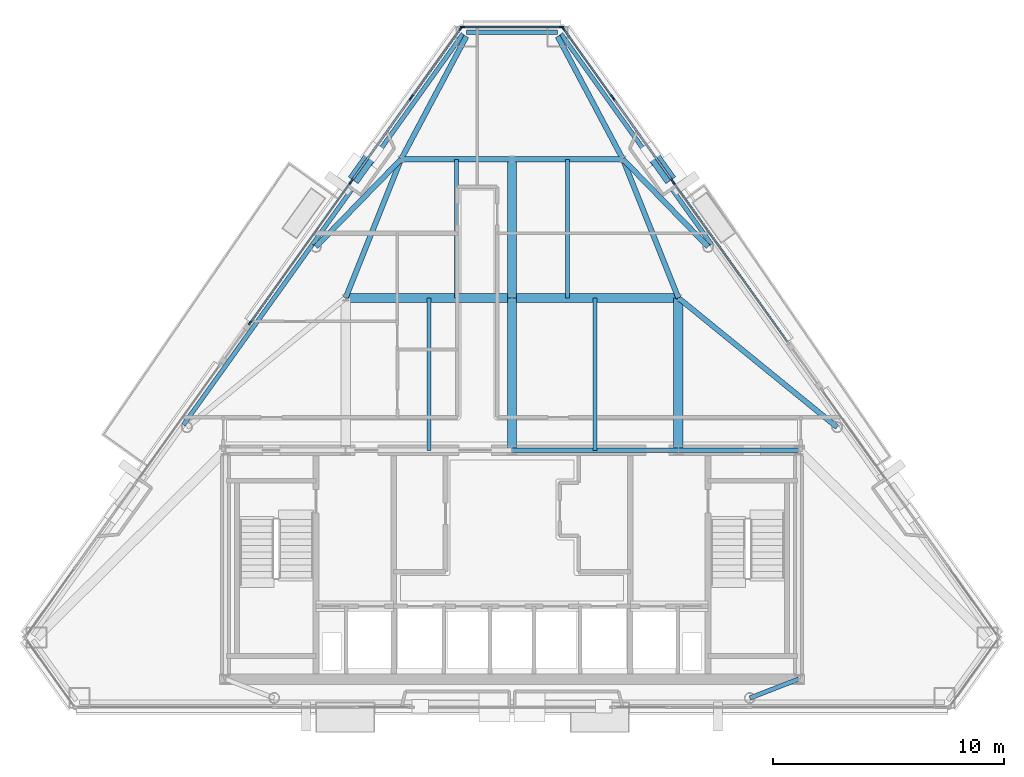
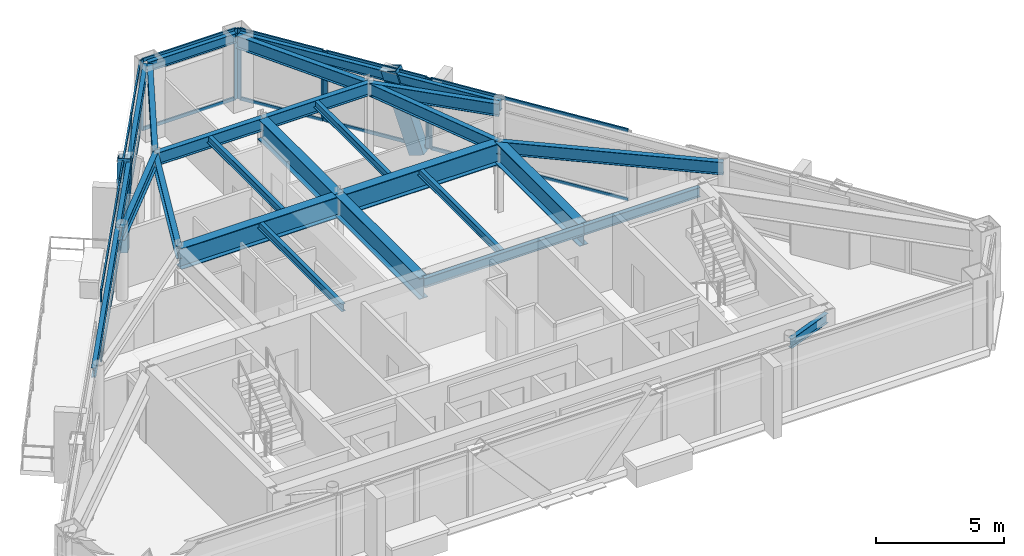
# One storey, part 5 of 12: 29 members, 25 beams, 7 elements without a shape of their own.
"""IFC4 building model written with IfcOpenShell, lengths in metres."""

from ifc_helpers import new_model, si_unit, direction, frame, origin, origin_2d, place, context, subcontext, project, spatial, rectangle, hollow_rectangle, i_section, extrude, material, layer, layer_set, material_profile, profile_set, type_object, element, aggregate, save


model = new_model("IFC4")

# Units and contexts
model_context = context("Model", 3, precision=1e-05, world=origin(), true_north=direction((0.0, 1.0)))
body_context = subcontext(model_context, "Body", "Model", "MODEL_VIEW")
ifc_project = project(units=[si_unit("LENGTHUNIT", "METRE"), si_unit("AREAUNIT", "SQUARE_METRE"), si_unit("VOLUMEUNIT", "CUBIC_METRE"), si_unit("PLANEANGLEUNIT", "RADIAN"), si_unit("MASSUNIT", "GRAM", prefix="KILO")], contexts=[model_context])

# Site, building, storey
site_placement = place(None, origin())
site = spatial("IfcSite", under=ifc_project, at=site_placement, CompositionType="ELEMENT")
building_placement = place(site_placement, origin())
building = spatial("IfcBuilding", under=site, at=building_placement, Name="Talgorran Terracotta Tower", CompositionType="ELEMENT")
storey_placement = place(building_placement, frame((0.0, 0.0, 263.39990234375)))
storey = spatial("IfcBuildingStorey", under=building, at=storey_placement, Name="L69", CompositionType="ELEMENT", Elevation=263.39990234375)

# Beams
ifc_material_1 = material(Name="Steel Grade 350 (350L0)", Category="steel")
ifc_material_profile_1 = material_profile(ifc_material_1, i_section(OverallWidth=0.39990234375, OverallDepth=1.0, WebThickness=0.01611328125, FlangeThickness=0.031005859375, at=origin_2d()), Name="1000WB296")
ifc_profile_set_1 = profile_set([ifc_material_profile_1], Name="Steel Grade 350 (350L0)")
beam_type_1 = type_object("IfcBeamType", Name="BM_1000WB296", PredefinedType="BEAM", material=ifc_profile_set_1)
for number, where, z_axis, x_axis, name in (
    (1, (0.0, -4.199951171875, 2.84521484375), (0.0, 1.0, 0.0), (-1.0, 0.0, 0.0), "L69 Floor Girder G02"),
    (2, (7.199951171875, -4.199951171875, 2.84521484375), (0.0, 1.0, 0.0), (-1.0, 0.0, 0.0), "L69 Floor Girder G03"),
):
    element("IfcBeam", number, at=place(storey_placement, frame(where, z_axis=z_axis, x_axis=x_axis)), inside=storey, type_object=beam_type_1, Name=name, PredefinedType="BEAM", context=body_context, shape_type="SweptSolid", body=[
        extrude(i_section(OverallWidth=0.39990234375, OverallDepth=1.0, WebThickness=0.01611328125, FlangeThickness=0.031005859375, at=origin_2d()), origin(), (0.0, 0.0, 1.0), 6.599853515625),
    ])
for number, where, z_axis, x_axis, name in (
    (3, (-7.199951171875, 2.39990234375, 2.84521484375), (1.0, 0.0, 0.0), (0.0, 1.0, 0.0), "L69 Floor Girder G04"),
    (4, (0.0, 2.39990234375, 2.84521484375), (1.0, 0.0, 0.0), (0.0, 1.0, 0.0), "L69 Floor Girder G05"),
):
    element("IfcBeam", number, at=place(storey_placement, frame(where, z_axis=z_axis, x_axis=x_axis)), inside=storey, type_object=beam_type_1, Name=name, PredefinedType="BEAM", context=body_context, shape_type="SweptSolid", body=[
        extrude(i_section(OverallWidth=0.39990234375, OverallDepth=1.0, WebThickness=0.01611328125, FlangeThickness=0.031005859375, at=origin_2d()), origin(), (0.0, 0.0, 1.0), 7.199951171875),
    ])
beam_1_placement = place(storey_placement, frame((0.0, 2.39990234375, 2.84521484375), z_axis=(0.0, 1.0, 0.0), x_axis=(-1.0, 0.0, 0.0)))
element("IfcBeam", 5, at=beam_1_placement, inside=storey, type_object=beam_type_1, Name="L69 Floor Girder G09", PredefinedType="BEAM", context=body_context, shape_type="SweptSolid", body=[
    extrude(i_section(OverallWidth=0.39990234375, OverallDepth=1.0, WebThickness=0.01611328125, FlangeThickness=0.031005859375, at=origin_2d()), origin(), (0.0, 0.0, 1.0), 6.0),
])
ifc_material_2 = material(Name="Steel S355 (300PLUS)", Category="steel")
ifc_material_profile_2 = material_profile(ifc_material_2, i_section(OverallWidth=0.22802734375, OverallDepth=0.60205078125, WebThickness=0.010498046875, FlangeThickness=0.014892578125, at=origin_2d()), Name="610UB101")
ifc_profile_set_2 = profile_set([ifc_material_profile_2], Name="Steel S355 (300PLUS)")
beam_type_2 = type_object("IfcBeamType", Name="BM_610UB101", PredefinedType="BEAM", material=ifc_profile_set_2)
beam_2_placement = place(storey_placement, frame((7.199951171875, 2.39990234375, 3.044189453125), z_axis=(0.775393850299, -0.631477930667, 0.0), x_axis=(0.631477930667, 0.775393850299, 0.0)))
element("IfcBeam", 6, at=beam_2_placement, inside=storey, type_object=beam_type_2, Name="L69 Floor Girder G07", PredefinedType="BEAM", context=body_context, shape_type="SweptSolid", body=[
    extrude(i_section(OverallWidth=0.22802734375, OverallDepth=0.60205078125, WebThickness=0.010498046875, FlangeThickness=0.014892578125, at=origin_2d()), origin(), (0.0, 0.0, 1.0), 8.862060546875),
])
for number, where, z_axis, x_axis, name in (
    (7, (-7.199951171875, 2.39990234375, 3.044189453125), (0.371377648723, 0.928481901832, 0.0), (-0.928481901832, 0.371377648723, 0.0), "L69 Floor Girder G08"),
    (8, (7.199951171875, 2.39990234375, 3.044189453125), (-0.371377648723, 0.928481901832, 0.0), (-0.928481901832, -0.371377648723, 0.0), "L69 Floor Girder G10"),
):
    element("IfcBeam", number, at=place(storey_placement, frame(where, z_axis=z_axis, x_axis=x_axis)), inside=storey, type_object=beam_type_2, Name=name, PredefinedType="BEAM", context=body_context, shape_type="SweptSolid", body=[
        extrude(i_section(OverallWidth=0.22802734375, OverallDepth=0.60205078125, WebThickness=0.010498046875, FlangeThickness=0.014892578125, at=origin_2d()), origin(), (0.0, 0.0, 1.0), 6.462158203125),
    ])
for number, where, z_axis, x_axis, name in (
    (9, (-4.800048828125, 8.39990234375, 3.044189453125), (1.0, 0.0, 0.0), (0.0, 1.0, 0.0), "L69 Floor Girder G11"),
    (10, (0.0, 8.39990234375, 3.044189453125), (1.0, 0.0, 0.0), (0.0, 1.0, 0.0), "L69 Floor Girder G12"),
):
    element("IfcBeam", number, at=place(storey_placement, frame(where, z_axis=z_axis, x_axis=x_axis)), inside=storey, type_object=beam_type_2, Name=name, PredefinedType="BEAM", context=body_context, shape_type="SweptSolid", body=[
        extrude(i_section(OverallWidth=0.22802734375, OverallDepth=0.60205078125, WebThickness=0.010498046875, FlangeThickness=0.014892578125, at=origin_2d()), origin(), (0.0, 0.0, 1.0), 4.800048828125),
    ])
for number, where, z_axis, x_axis, name in (
    (11, (-4.800048828125, 8.39990234375, 3.044189453125), (-0.697416483559, -0.716666064817, 0.0), (0.716666064817, -0.697416483559, 0.0), "L69 Floor Girder G13"),
    (12, (4.800048828125, 8.39990234375, 3.044189453125), (0.697416483559, -0.716666064817, 0.0), (0.716666064817, 0.697416483559, 0.0), "L69 Floor Girder G14"),
):
    element("IfcBeam", number, at=place(storey_placement, frame(where, z_axis=z_axis, x_axis=x_axis)), inside=storey, type_object=beam_type_2, Name=name, PredefinedType="BEAM", context=body_context, shape_type="SweptSolid", body=[
        extrude(i_section(OverallWidth=0.22802734375, OverallDepth=0.60205078125, WebThickness=0.010498046875, FlangeThickness=0.014892578125, at=origin_2d()), origin(), (0.0, 0.0, 1.0), 5.288818359375),
    ])
for number, where, z_axis, x_axis, name in (
    (13, (-4.800048828125, 8.39990234375, 3.044189453125), (0.469200685486, 0.883091567585, 0.0), (-0.883091567585, 0.469200685486, 0.0), "L69 Floor Girder G15"),
    (14, (4.800048828125, 8.39990234375, 3.044189453125), (-0.469200685486, 0.883091567585, 0.0), (-0.883091567585, -0.469200685486, 0.0), "L69 Floor Girder G16"),
):
    element("IfcBeam", number, at=place(storey_placement, frame(where, z_axis=z_axis, x_axis=x_axis)), inside=storey, type_object=beam_type_2, Name=name, PredefinedType="BEAM", context=body_context, shape_type="SweptSolid", body=[
        extrude(i_section(OverallWidth=0.22802734375, OverallDepth=0.60205078125, WebThickness=0.010498046875, FlangeThickness=0.014892578125, at=origin_2d()), origin(), (0.0, 0.0, 1.0), 6.020751953125),
    ])
ifc_material_profile_3 = material_profile(ifc_material_2, i_section(OverallWidth=0.17138671875, OverallDepth=0.355712890625, WebThickness=0.00732421875, FlangeThickness=0.011474609375, at=origin_2d()), Name="360UB50.7")
ifc_profile_set_3 = profile_set([ifc_material_profile_3], Name="Steel S355 (300PLUS)")
beam_type_3 = type_object("IfcBeamType", Name="BM_JS_360UB51", PredefinedType="JOIST", material=ifc_profile_set_3)
for number, where, z_axis, x_axis, name in (
    (15, (-3.60009765625, -4.199951171875, 3.167236328125), (0.0, 1.0, 0.0), (-1.0, 0.0, 0.0), "L69 Secondary Joist J01"),
    (16, (3.60009765625, -4.199951171875, 3.167236328125), (0.0, 1.0, 0.0), (-1.0, 0.0, 0.0), "L69 Secondary Joist J02"),
):
    element("IfcBeam", number, at=place(storey_placement, frame(where, z_axis=z_axis, x_axis=x_axis)), inside=storey, type_object=beam_type_3, Name=name, PredefinedType="JOIST", context=body_context, shape_type="SweptSolid", body=[
        extrude(i_section(OverallWidth=0.17138671875, OverallDepth=0.355712890625, WebThickness=0.00732421875, FlangeThickness=0.011474609375, at=origin_2d()), origin(), (0.0, 0.0, 1.0), 6.599853515625),
    ])
for number, where, z_axis, x_axis, name in (
    (17, (-2.39990234375, 2.39990234375, 3.167236328125), (0.0, 1.0, 0.0), (-1.0, 0.0, 0.0), "L69 Secondary Joist J03"),
    (18, (2.39990234375, 2.39990234375, 3.167236328125), (0.0, 1.0, 0.0), (-1.0, 0.0, 0.0), "L69 Secondary Joist J04"),
):
    element("IfcBeam", number, at=place(storey_placement, frame(where, z_axis=z_axis, x_axis=x_axis)), inside=storey, type_object=beam_type_3, Name=name, PredefinedType="JOIST", context=body_context, shape_type="SweptSolid", body=[
        extrude(i_section(OverallWidth=0.17138671875, OverallDepth=0.355712890625, WebThickness=0.00732421875, FlangeThickness=0.011474609375, at=origin_2d()), origin(), (0.0, 0.0, 1.0), 6.0),
    ])
ifc_material_profile_4 = material_profile(ifc_material_2, i_section(OverallWidth=0.18994140625, OverallDepth=0.45703125, WebThickness=0.009033203125, FlangeThickness=0.014404296875, at=origin_2d()), Name="460UB74.6")
ifc_profile_set_4 = profile_set([ifc_material_profile_4], Name="Steel S355 (300PLUS)")
beam_type_4 = type_object("IfcBeamType", Name="BM_SP_460UB74", PredefinedType="SPANDREL", material=ifc_profile_set_4)
beam_3_placement = place(storey_placement, frame((8.635009765625, 4.71435546875, 3.11669921875), z_axis=(-0.58172898954, 0.813382679142, 0.0), x_axis=(-0.813382679142, -0.58172898954, 0.0)))
element("IfcBeam", 19, at=beam_3_placement, inside=storey, type_object=beam_type_4, Name="L69 Perimeter Spandrel Beam FC4-MC5", PredefinedType="SPANDREL", context=body_context, shape_type="SweptSolid", body=[
    extrude(i_section(OverallWidth=0.18994140625, OverallDepth=0.45703125, WebThickness=0.009033203125, FlangeThickness=0.014404296875, at=origin_2d()), origin(), (0.0, 0.0, 1.0), 11.19677734375),
])
beam_4_placement = place(storey_placement, frame((1.97509765625, 13.896728515625, 3.11669921875), z_axis=(-1.0, 0.0, 0.0), x_axis=(0.0, -1.0, 0.0)))
element("IfcBeam", 20, at=beam_4_placement, inside=storey, type_object=beam_type_4, Name="L69 Perimeter Spandrel Beam MC5-MC6", PredefinedType="SPANDREL", context=body_context, shape_type="SweptSolid", body=[
    extrude(i_section(OverallWidth=0.18994140625, OverallDepth=0.45703125, WebThickness=0.009033203125, FlangeThickness=0.014404296875, at=origin_2d()), origin(), (0.0, 0.0, 1.0), 3.9501953125),
])
beam_5_placement = place(storey_placement, frame((-2.12158203125, 13.821533203125, 3.11669921875), z_axis=(-0.58172898954, -0.813382679142, 0.0), x_axis=(0.813382679142, -0.58172898954, 0.0)))
element("IfcBeam", 21, at=beam_5_placement, inside=storey, type_object=beam_type_4, Name="L69 Perimeter Spandrel Beam MC6-FC5", PredefinedType="SPANDREL", context=body_context, shape_type="SweptSolid", body=[
    extrude(i_section(OverallWidth=0.18994140625, OverallDepth=0.45703125, WebThickness=0.009033203125, FlangeThickness=0.014404296875, at=origin_2d()), origin(), (0.0, 0.0, 1.0), 11.19677734375),
])
beam_6_placement = place(storey_placement, frame((-8.635009765625, 4.71435546875, 3.11669921875), z_axis=(-0.581733798122, -0.813379240037, 0.0), x_axis=(0.813379240037, -0.581733798122, 0.0)))
element("IfcBeam", 22, at=beam_6_placement, inside=storey, type_object=beam_type_4, Name="L69 Perimeter Spandrel Beam FC5-FC6", PredefinedType="SPANDREL", context=body_context, shape_type="SweptSolid", body=[
    extrude(i_section(OverallWidth=0.18994140625, OverallDepth=0.45703125, WebThickness=0.009033203125, FlangeThickness=0.014404296875, at=origin_2d()), origin(), (0.0, 0.0, 1.0), 9.59716796875),
])
beam_7_placement = place(storey_placement, frame((12.39990234375, -14.10009765625, 3.11669921875), z_axis=(-0.932081672707, -0.362248195859, 0.0), x_axis=(0.362248195859, -0.932081672707, 0.0)))
element("IfcBeam", 23, at=beam_7_placement, inside=storey, type_object=beam_type_4, Name="L69 South-East Core Tie Beam", PredefinedType="SPANDREL", context=body_context, shape_type="SweptSolid", body=[
    extrude(i_section(OverallWidth=0.18994140625, OverallDepth=0.45703125, WebThickness=0.009033203125, FlangeThickness=0.014404296875, at=origin_2d()), origin(), (0.0, 0.0, 1.0), 2.260498046875),
])
beam_8_placement = place(storey_placement, frame((0.0, -4.199951171875, 3.11669921875), z_axis=(1.0, 0.0, 0.0), x_axis=(0.0, 1.0, 0.0)))
element("IfcBeam", 24, at=beam_8_placement, inside=storey, type_object=beam_type_4, Name="L69 Core Frame Beam CFN3", PredefinedType="SPANDREL", context=body_context, shape_type="SweptSolid", body=[
    extrude(i_section(OverallWidth=0.18994140625, OverallDepth=0.45703125, WebThickness=0.009033203125, FlangeThickness=0.014404296875, at=origin_2d()), origin(), (0.0, 0.0, 1.0), 7.199951171875),
])
beam_9_placement = place(storey_placement, frame((7.199951171875, -4.199951171875, 3.11669921875), z_axis=(1.0, 0.0, 0.0), x_axis=(0.0, 1.0, 0.0)))
element("IfcBeam", 25, at=beam_9_placement, inside=storey, type_object=beam_type_4, Name="L69 Core Frame Beam CFN4", PredefinedType="SPANDREL", context=body_context, shape_type="SweptSolid", body=[
    extrude(i_section(OverallWidth=0.18994140625, OverallDepth=0.45703125, WebThickness=0.009033203125, FlangeThickness=0.014404296875, at=origin_2d()), origin(), (0.0, 0.0, 1.0), 5.199951171875),
])

# Members
ifc_material_profile_5 = material_profile(ifc_material_1, hollow_rectangle(XDim=0.52001953125, YDim=0.659912109375, WallThickness=0.034912109375, at=origin_2d()), Name="WBOX660X520X35")
ifc_profile_set_5 = profile_set([ifc_material_profile_5], Name="Steel Grade 350 (350L0)")
member_type_1 = type_object("IfcMemberType", Name="MB_MEGA_660", PredefinedType="BRACE", material=ifc_profile_set_5)
for number, where, z_axis, x_axis, name in (
    (26, (6.6884765625, 7.74560546875, -0.27490234375), (-0.181952212271, 0.254351379252, 0.94984144378), (-0.813320904376, -0.581815354306, 0.0), "L69 Exterior Face Mega-Brace MB-3 (NEU)"),
    (27, (-6.6884765625, 7.74560546875, -0.27490234375), (0.181952212271, 0.254351379252, 0.94984144378), (-0.813320904376, 0.581815354306, 0.0), "L69 Exterior Face Mega-Brace MB-3 (NWU)"),
):
    element("IfcMember", number, at=place(storey_placement, frame(where, z_axis=z_axis, x_axis=x_axis)), inside=storey, type_object=member_type_1, Name=name, PredefinedType="BRACE", context=body_context, shape_type="SweptSolid", body=[
        extrude(hollow_rectangle(XDim=0.52001953125, YDim=0.659912109375, WallThickness=0.034912109375, at=origin_2d()), origin(), (0.0, 0.0, 1.0), 3.83740234375),
    ])

# Curtain wall, member
ifc_material_3 = material(Name="High-Wind Unitised Glazing", Category="glass")
ifc_layer = layer(ifc_material_3, 0.2099609375, Name="CW_SYS3_RES_HIGH")
ifc_layer_set = layer_set([ifc_layer], Name="High-Wind Unitised Glazing")
curtain_wall_type = type_object("IfcCurtainWallType", Name="CW_SYS3_RES_HIGH", PredefinedType="NOTDEFINED", material=ifc_layer_set)
curtain_wall_1_placement = place(storey_placement, origin())
curtain_wall_1 = element("IfcCurtainWall", 28, at=curtain_wall_1_placement, inside=storey, type_object=curtain_wall_type, Name="CW-L69-F41", PredefinedType="NOTDEFINED")
ifc_material_4 = material(Name="Architectural Aluminium 6063-T6", Category="aluminium")
ifc_material_profile_6 = material_profile(ifc_material_4, rectangle(XDim=0.070068359375, YDim=0.199951171875, at=origin_2d()), Name="CWM70X200")
ifc_profile_set_6 = profile_set([ifc_material_profile_6], Name="Architectural Aluminium 6063-T6")
member_type_2 = type_object("IfcMemberType", Name="MUL_70X200", PredefinedType="MULLION", material=ifc_profile_set_6)
member_1_placement = place(storey_placement, frame((6.98095703125, 7.4052734375, 0.0), z_axis=(0.0, 0.0, 1.0), x_axis=(-0.813381757068, -0.581730278797, 0.0)))
member_1 = element("IfcMember", 29, at=member_1_placement, type_object=member_type_2, Name="CW-L69-41 mullion 2", PredefinedType="MULLION", context=body_context, shape_type="SweptSolid", body=[
    extrude(rectangle(XDim=0.070068359375, YDim=0.199951171875, at=origin_2d()), origin(), (0.0, 0.0, 1.0), 3.34521484375),
])

# Curtain wall, members
curtain_wall_2_placement = place(storey_placement, origin())
curtain_wall_2 = element("IfcCurtainWall", 30, at=curtain_wall_2_placement, inside=storey, type_object=curtain_wall_type, Name="CW-L69-F41B", PredefinedType="NOTDEFINED")
member_2_placement = place(storey_placement, frame((6.934326171875, 7.470458984375, 0.0), z_axis=(0.0, 0.0, 1.0), x_axis=(-0.813369566326, -0.581747323651, 0.0)))
member_2 = element("IfcMember", 31, at=member_2_placement, type_object=member_type_2, Name="CW-L69-41B mullion 1", PredefinedType="MULLION", context=body_context, shape_type="SweptSolid", body=[
    extrude(rectangle(XDim=0.070068359375, YDim=0.199951171875, at=origin_2d()), origin(), (0.0, 0.0, 1.0), 3.34521484375),
])
member_3_placement = place(storey_placement, frame((4.381591796875, 11.03955078125, 0.0), z_axis=(0.0, 0.0, 1.0), x_axis=(-0.813369566326, -0.581747323651, 0.0)))
member_3 = element("IfcMember", 32, at=member_3_placement, type_object=member_type_2, Name="CW-L69-41B mullion 2", PredefinedType="MULLION", context=body_context, shape_type="SweptSolid", body=[
    extrude(rectangle(XDim=0.070068359375, YDim=0.199951171875, at=origin_2d()), origin(), (0.0, 0.0, 1.0), 3.34521484375),
])

curtain_wall_3_placement = place(storey_placement, origin())
curtain_wall_3 = element("IfcCurtainWall", 33, at=curtain_wall_3_placement, inside=storey, type_object=curtain_wall_type, Name="CW-L69-F41C", PredefinedType="NOTDEFINED")
member_4_placement = place(storey_placement, frame((4.335205078125, 11.104736328125, 0.0), z_axis=(0.0, 0.0, 1.0), x_axis=(-0.813380709378, -0.581731743686, 0.0)))
member_4 = element("IfcMember", 34, at=member_4_placement, type_object=member_type_2, Name="CW-L69-41C mullion 1", PredefinedType="MULLION", context=body_context, shape_type="SweptSolid", body=[
    extrude(rectangle(XDim=0.070068359375, YDim=0.199951171875, at=origin_2d()), origin(), (0.0, 0.0, 1.0), 3.34521484375),
])
member_5_placement = place(storey_placement, frame((2.224365234375, 14.055908203125, 0.0), z_axis=(0.0, 0.0, 1.0), x_axis=(-0.813380709378, -0.581731743686, 0.0)))
member_5 = element("IfcMember", 35, at=member_5_placement, type_object=member_type_2, Name="CW-L69-41C mullion 2", PredefinedType="MULLION", context=body_context, shape_type="SweptSolid", body=[
    extrude(rectangle(XDim=0.070068359375, YDim=0.199951171875, at=origin_2d()), origin(), (0.0, 0.0, 1.0), 3.34521484375),
])

curtain_wall_4_placement = place(storey_placement, origin())
curtain_wall_4 = element("IfcCurtainWall", 36, at=curtain_wall_4_placement, inside=storey, type_object=curtain_wall_type, Name="CW-L69-F4", PredefinedType="NOTDEFINED")
member_6_placement = place(storey_placement, frame((2.145751953125, 14.11669921875, 0.0), z_axis=(0.0, 0.0, 1.0), x_axis=(0.0, -1.0, 0.0)))
member_6 = element("IfcMember", 37, at=member_6_placement, type_object=member_type_2, Name="CW-L69-4 mullion 1", PredefinedType="MULLION", context=body_context, shape_type="SweptSolid", body=[
    extrude(rectangle(XDim=0.070068359375, YDim=0.199951171875, at=origin_2d()), origin(), (0.0, 0.0, 1.0), 3.34521484375),
])
member_7_placement = place(storey_placement, frame((-2.145751953125, 14.11669921875, 0.0), z_axis=(0.0, 0.0, 1.0), x_axis=(0.0, -1.0, 0.0)))
member_7 = element("IfcMember", 38, at=member_7_placement, type_object=member_type_2, Name="CW-L69-4 mullion 2", PredefinedType="MULLION", context=body_context, shape_type="SweptSolid", body=[
    extrude(rectangle(XDim=0.070068359375, YDim=0.199951171875, at=origin_2d()), origin(), (0.0, 0.0, 1.0), 3.34521484375),
])

curtain_wall_5_placement = place(storey_placement, origin())
curtain_wall_5 = element("IfcCurtainWall", 39, at=curtain_wall_5_placement, inside=storey, type_object=curtain_wall_type, Name="CW-L69-F60", PredefinedType="NOTDEFINED")
member_8_placement = place(storey_placement, frame((-2.224365234375, 14.055908203125, 0.0), z_axis=(0.0, 0.0, 1.0), x_axis=(0.813380709378, -0.581731743686, 0.0)))
member_8 = element("IfcMember", 40, at=member_8_placement, type_object=member_type_2, Name="CW-L69-60 mullion 1", PredefinedType="MULLION", context=body_context, shape_type="SweptSolid", body=[
    extrude(rectangle(XDim=0.070068359375, YDim=0.199951171875, at=origin_2d()), origin(), (0.0, 0.0, 1.0), 3.34521484375),
])
member_9_placement = place(storey_placement, frame((-4.335205078125, 11.104736328125, 0.0), z_axis=(0.0, 0.0, 1.0), x_axis=(0.813380709378, -0.581731743686, 0.0)))
member_9 = element("IfcMember", 41, at=member_9_placement, type_object=member_type_2, Name="CW-L69-60 mullion 2", PredefinedType="MULLION", context=body_context, shape_type="SweptSolid", body=[
    extrude(rectangle(XDim=0.070068359375, YDim=0.199951171875, at=origin_2d()), origin(), (0.0, 0.0, 1.0), 3.34521484375),
])

curtain_wall_6_placement = place(storey_placement, origin())
curtain_wall_6 = element("IfcCurtainWall", 42, at=curtain_wall_6_placement, inside=storey, type_object=curtain_wall_type, Name="CW-L69-F60B", PredefinedType="NOTDEFINED")
member_10_placement = place(storey_placement, frame((-4.381591796875, 11.03955078125, 0.0), z_axis=(0.0, 0.0, 1.0), x_axis=(0.813380180125, -0.58173248369, 0.0)))
member_10 = element("IfcMember", 43, at=member_10_placement, type_object=member_type_2, Name="CW-L69-60B mullion 1", PredefinedType="MULLION", context=body_context, shape_type="SweptSolid", body=[
    extrude(rectangle(XDim=0.070068359375, YDim=0.199951171875, at=origin_2d()), origin(), (0.0, 0.0, 1.0), 3.34521484375),
])
member_11_placement = place(storey_placement, frame((-6.934326171875, 7.470458984375, 0.0), z_axis=(0.0, 0.0, 1.0), x_axis=(0.813380180125, -0.58173248369, 0.0)))
member_11 = element("IfcMember", 44, at=member_11_placement, type_object=member_type_2, Name="CW-L69-60B mullion 2", PredefinedType="MULLION", context=body_context, shape_type="SweptSolid", body=[
    extrude(rectangle(XDim=0.070068359375, YDim=0.199951171875, at=origin_2d()), origin(), (0.0, 0.0, 1.0), 3.34521484375),
])

curtain_wall_7_placement = place(storey_placement, origin())
curtain_wall_7 = element("IfcCurtainWall", 45, at=curtain_wall_7_placement, inside=storey, type_object=curtain_wall_type, Name="CW-L69-F60C", PredefinedType="NOTDEFINED")
member_12_placement = place(storey_placement, frame((-6.98095703125, 7.4052734375, 0.0), z_axis=(0.0, 0.0, 1.0), x_axis=(0.813380928218, -0.581731437702, 0.0)))
member_12 = element("IfcMember", 46, at=member_12_placement, type_object=member_type_2, Name="CW-L69-60C mullion 1", PredefinedType="MULLION", context=body_context, shape_type="SweptSolid", body=[
    extrude(rectangle(XDim=0.070068359375, YDim=0.199951171875, at=origin_2d()), origin(), (0.0, 0.0, 1.0), 3.34521484375),
])
member_13_placement = place(storey_placement, frame((-11.3349609375, 1.317626953125, 0.0), z_axis=(0.0, 0.0, 1.0), x_axis=(0.813380928218, -0.581731437702, 0.0)))
member_13 = element("IfcMember", 47, at=member_13_placement, type_object=member_type_2, Name="CW-L69-60C mullion 2", PredefinedType="MULLION", context=body_context, shape_type="SweptSolid", body=[
    extrude(rectangle(XDim=0.070068359375, YDim=0.199951171875, at=origin_2d()), origin(), (0.0, 0.0, 1.0), 3.34521484375),
])

# Member
ifc_material_profile_7 = material_profile(ifc_material_4, rectangle(XDim=0.070068359375, YDim=0.159912109375, at=origin_2d()), Name="CWT70X160")
ifc_profile_set_7 = profile_set([ifc_material_profile_7], Name="Architectural Aluminium 6063-T6")
member_type_3 = type_object("IfcMemberType", Name="TRN_70X160", PredefinedType="USERDEFINED", material=ifc_profile_set_7)
member_14_placement = place(storey_placement, frame((11.91748046875, 0.5029296875, 0.03515625), z_axis=(-0.581727240873, 0.813383929781, 0.0), x_axis=(-0.813383929781, -0.581727240873, 0.0)))
member_14 = element("IfcMember", 48, at=member_14_placement, type_object=member_type_3, Name="CW-L69-41 transom 1.1", ObjectType="TRANSOM", PredefinedType="USERDEFINED", context=body_context, shape_type="SweptSolid", body=[
    extrude(rectangle(XDim=0.070068359375, YDim=0.159912109375, at=origin_2d()), origin(), (0.0, 0.0, 1.0), 8.451171875),
])

member_15_placement = place(storey_placement, frame((11.91748046875, 0.5029296875, 3.31005859375), z_axis=(-0.581727240873, 0.813383929781, 0.0), x_axis=(-0.813383929781, -0.581727240873, 0.0)))
member_15 = element("IfcMember", 49, at=member_15_placement, type_object=member_type_3, Name="CW-L69-41 transom 1.2", ObjectType="TRANSOM", PredefinedType="USERDEFINED", context=body_context, shape_type="SweptSolid", body=[
    extrude(rectangle(XDim=0.070068359375, YDim=0.159912109375, at=origin_2d()), origin(), (0.0, 0.0, 1.0), 8.451171875),
])

aggregate(curtain_wall_1, [member_1, member_14, member_15])

member_16_placement = place(storey_placement, frame((6.9140625, 7.498779296875, 0.03515625), z_axis=(-0.581735480409, 0.813378036852, 0.0), x_axis=(-0.813378036852, -0.581735480409, 0.0)))
member_16 = element("IfcMember", 50, at=member_16_placement, type_object=member_type_3, Name="CW-L69-41B transom 1.1", ObjectType="TRANSOM", PredefinedType="USERDEFINED", context=body_context, shape_type="SweptSolid", body=[
    extrude(rectangle(XDim=0.070068359375, YDim=0.159912109375, at=origin_2d()), origin(), (0.0, 0.0, 1.0), 4.318115234375),
])

member_17_placement = place(storey_placement, frame((6.9140625, 7.498779296875, 3.31005859375), z_axis=(-0.581735480409, 0.813378036852, 0.0), x_axis=(-0.813378036852, -0.581735480409, 0.0)))
member_17 = element("IfcMember", 51, at=member_17_placement, type_object=member_type_3, Name="CW-L69-41B transom 1.2", ObjectType="TRANSOM", PredefinedType="USERDEFINED", context=body_context, shape_type="SweptSolid", body=[
    extrude(rectangle(XDim=0.070068359375, YDim=0.159912109375, at=origin_2d()), origin(), (0.0, 0.0, 1.0), 4.318115234375),
])

aggregate(curtain_wall_2, [member_2, member_3, member_16, member_17])

member_18_placement = place(storey_placement, frame((4.314697265625, 11.133056640625, 0.03515625), z_axis=(-0.581698918602, 0.813404184952, 0.0), x_axis=(-0.813404184952, -0.581698918602, 0.0)))
member_18 = element("IfcMember", 52, at=member_18_placement, type_object=member_type_3, Name="CW-L69-41C transom 1.1", ObjectType="TRANSOM", PredefinedType="USERDEFINED", context=body_context, shape_type="SweptSolid", body=[
    extrude(rectangle(XDim=0.070068359375, YDim=0.159912109375, at=origin_2d()), origin(), (0.0, 0.0, 1.0), 3.558349609375),
])

member_19_placement = place(storey_placement, frame((4.314697265625, 11.133056640625, 3.31005859375), z_axis=(-0.581698918602, 0.813404184952, 0.0), x_axis=(-0.813404184952, -0.581698918602, 0.0)))
member_19 = element("IfcMember", 53, at=member_19_placement, type_object=member_type_3, Name="CW-L69-41C transom 1.2", ObjectType="TRANSOM", PredefinedType="USERDEFINED", context=body_context, shape_type="SweptSolid", body=[
    extrude(rectangle(XDim=0.070068359375, YDim=0.159912109375, at=origin_2d()), origin(), (0.0, 0.0, 1.0), 3.558349609375),
])

aggregate(curtain_wall_3, [member_4, member_5, member_18, member_19])

member_20_placement = place(storey_placement, frame((2.11083984375, 14.11669921875, 0.03515625), z_axis=(-1.0, 0.0, 0.0), x_axis=(0.0, -1.0, 0.0)))
member_20 = element("IfcMember", 54, at=member_20_placement, type_object=member_type_3, Name="CW-L69-4 transom 1.1", ObjectType="TRANSOM", PredefinedType="USERDEFINED", context=body_context, shape_type="SweptSolid", body=[
    extrude(rectangle(XDim=0.070068359375, YDim=0.159912109375, at=origin_2d()), origin(), (0.0, 0.0, 1.0), 4.2216796875),
])

member_21_placement = place(storey_placement, frame((2.11083984375, 14.11669921875, 3.31005859375), z_axis=(-1.0, 0.0, 0.0), x_axis=(0.0, -1.0, 0.0)))
member_21 = element("IfcMember", 55, at=member_21_placement, type_object=member_type_3, Name="CW-L69-4 transom 1.2", ObjectType="TRANSOM", PredefinedType="USERDEFINED", context=body_context, shape_type="SweptSolid", body=[
    extrude(rectangle(XDim=0.070068359375, YDim=0.159912109375, at=origin_2d()), origin(), (0.0, 0.0, 1.0), 4.2216796875),
])

aggregate(curtain_wall_4, [member_6, member_7, member_20, member_21])

member_22_placement = place(storey_placement, frame((-2.244873046875, 14.02734375, 0.03515625), z_axis=(-0.581698918602, -0.813404184952, 0.0), x_axis=(0.813404184952, -0.581698918602, 0.0)))
member_22 = element("IfcMember", 56, at=member_22_placement, type_object=member_type_3, Name="CW-L69-60 transom 1.1", ObjectType="TRANSOM", PredefinedType="USERDEFINED", context=body_context, shape_type="SweptSolid", body=[
    extrude(rectangle(XDim=0.070068359375, YDim=0.159912109375, at=origin_2d()), origin(), (0.0, 0.0, 1.0), 3.558349609375),
])

member_23_placement = place(storey_placement, frame((-2.244873046875, 14.02734375, 3.31005859375), z_axis=(-0.581698918602, -0.813404184952, 0.0), x_axis=(0.813404184952, -0.581698918602, 0.0)))
member_23 = element("IfcMember", 57, at=member_23_placement, type_object=member_type_3, Name="CW-L69-60 transom 1.2", ObjectType="TRANSOM", PredefinedType="USERDEFINED", context=body_context, shape_type="SweptSolid", body=[
    extrude(rectangle(XDim=0.070068359375, YDim=0.159912109375, at=origin_2d()), origin(), (0.0, 0.0, 1.0), 3.558349609375),
])

aggregate(curtain_wall_5, [member_8, member_9, member_22, member_23])

member_24_placement = place(storey_placement, frame((-4.402099609375, 11.010986328125, 0.03515625), z_axis=(-0.581735480409, -0.813378036852, 0.0), x_axis=(0.813378036852, -0.581735480409, 0.0)))
member_24 = element("IfcMember", 58, at=member_24_placement, type_object=member_type_3, Name="CW-L69-60B transom 1.1", ObjectType="TRANSOM", PredefinedType="USERDEFINED", context=body_context, shape_type="SweptSolid", body=[
    extrude(rectangle(XDim=0.070068359375, YDim=0.159912109375, at=origin_2d()), origin(), (0.0, 0.0, 1.0), 4.318115234375),
])

member_25_placement = place(storey_placement, frame((-4.402099609375, 11.010986328125, 3.31005859375), z_axis=(-0.581735480409, -0.813378036852, 0.0), x_axis=(0.813378036852, -0.581735480409, 0.0)))
member_25 = element("IfcMember", 59, at=member_25_placement, type_object=member_type_3, Name="CW-L69-60B transom 1.2", ObjectType="TRANSOM", PredefinedType="USERDEFINED", context=body_context, shape_type="SweptSolid", body=[
    extrude(rectangle(XDim=0.070068359375, YDim=0.159912109375, at=origin_2d()), origin(), (0.0, 0.0, 1.0), 4.318115234375),
])

aggregate(curtain_wall_6, [member_10, member_11, member_24, member_25])

member_26_placement = place(storey_placement, frame((-7.001220703125, 7.376953125, 0.03515625), z_axis=(-0.581717756107, -0.813390713144, 0.0), x_axis=(0.813390713144, -0.581717756107, 0.0)))
member_26 = element("IfcMember", 60, at=member_26_placement, type_object=member_type_3, Name="CW-L69-60C transom 1.1", ObjectType="TRANSOM", PredefinedType="USERDEFINED", context=body_context, shape_type="SweptSolid", body=[
    extrude(rectangle(XDim=0.070068359375, YDim=0.159912109375, at=origin_2d()), origin(), (0.0, 0.0, 1.0), 7.41455078125),
])

member_27_placement = place(storey_placement, frame((-7.001220703125, 7.376953125, 3.31005859375), z_axis=(-0.581717756107, -0.813390713144, 0.0), x_axis=(0.813390713144, -0.581717756107, 0.0)))
member_27 = element("IfcMember", 61, at=member_27_placement, type_object=member_type_3, Name="CW-L69-60C transom 1.2", ObjectType="TRANSOM", PredefinedType="USERDEFINED", context=body_context, shape_type="SweptSolid", body=[
    extrude(rectangle(XDim=0.070068359375, YDim=0.159912109375, at=origin_2d()), origin(), (0.0, 0.0, 1.0), 7.41455078125),
])

aggregate(curtain_wall_7, [member_12, member_13, member_26, member_27])

save(model, "model.ifc")
